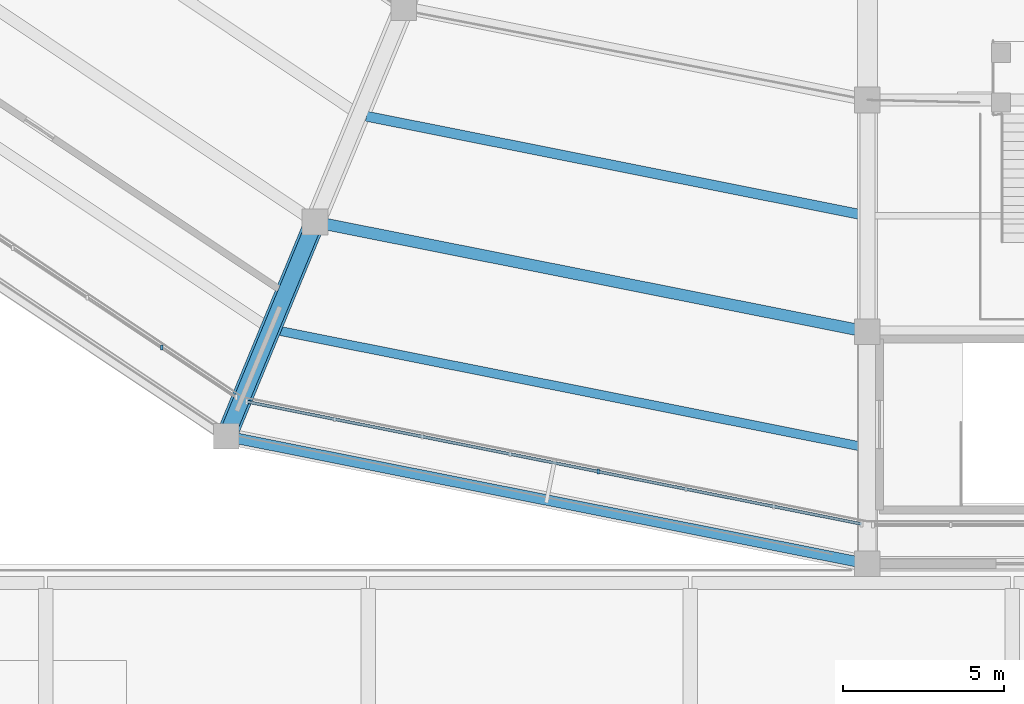
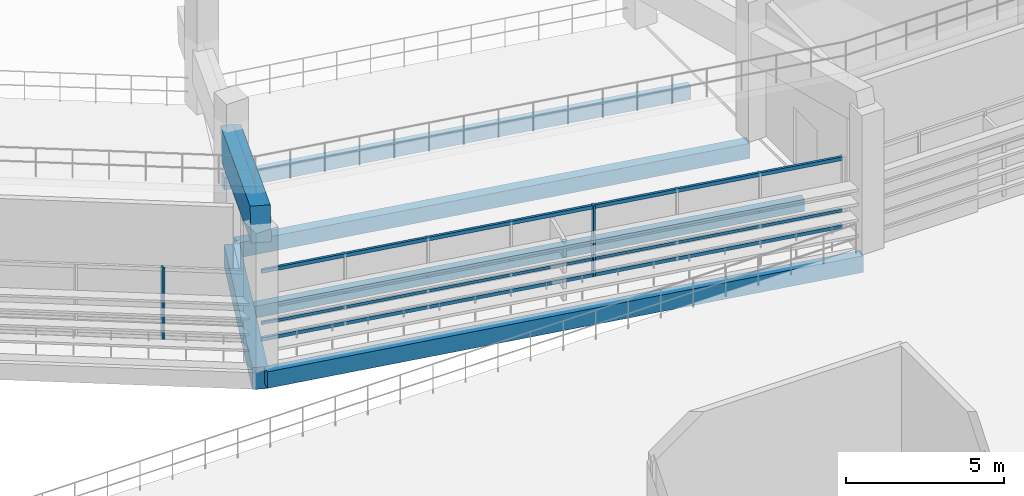
# One storey, part 6 of 96: 6 beams, 5 members, 2 elements without a shape of their own.
"""IFC4 building model written with IfcOpenShell, lengths in metres."""

from ifc_helpers import new_model, si_unit, direction, frame, origin, origin_2d, place, context, subcontext, project, spatial, rectangle, extrude, material, material_profile, profile_set, type_object, element, aggregate, save


model = new_model("IFC4")

# Units and contexts
model_context = context("Model", 3, precision=1e-05, world=origin(), true_north=direction((0.0, 1.0)))
body_context = subcontext(model_context, "Body", "Model", "MODEL_VIEW")
ifc_project = project(units=[si_unit("LENGTHUNIT", "METRE"), si_unit("AREAUNIT", "SQUARE_METRE"), si_unit("VOLUMEUNIT", "CUBIC_METRE"), si_unit("PLANEANGLEUNIT", "RADIAN"), si_unit("MASSUNIT", "GRAM", prefix="KILO")], contexts=[model_context])

# Site, building, storey
site_placement = place(None, origin())
site = spatial("IfcSite", under=ifc_project, at=site_placement, CompositionType="ELEMENT")
building_placement = place(site_placement, origin())
building = spatial("IfcBuilding", under=site, at=building_placement, Name="Candeia Ridge Stadium", CompositionType="ELEMENT")
storey_placement = place(building_placement, frame((0.0, 0.0, 21.60009765625)))
storey = spatial("IfcBuildingStorey", under=building, at=storey_placement, Name="L04", CompositionType="ELEMENT", Elevation=21.60009765625)

# Curtain wall, member
ifc_material_1 = material(Name="Aluminium Anodized Warm Bronze", Category="aluminium")
curtain_wall_type = type_object("IfcCurtainWallType", Name="Concourse Recessed Unitised Curtain Wall", PredefinedType="NOTDEFINED", material=ifc_material_1)
curtain_wall_1_placement = place(storey_placement, origin())
curtain_wall_1 = element("IfcCurtainWall", 1, at=curtain_wall_1_placement, inside=storey, type_object=curtain_wall_type, Name="Unitised curtain wall CW-BWL-L04-16", PredefinedType="NOTDEFINED")
ifc_material_profile_1 = material_profile(ifc_material_1, rectangle(XDim=0.074951171875, YDim=0.14990234375, at=origin_2d()), Name="CWM-75x150", Category="aluminium")
ifc_profile_set_1 = profile_set([ifc_material_profile_1], Name="Aluminium Anodized Warm Bronze")
member_type_1 = type_object("IfcMemberType", Name="Curtain Wall Secondary Mullion 75x150", PredefinedType="MULLION", material=ifc_profile_set_1)
member_1_placement = place(storey_placement, frame((49.098388671875, 25.71142578125, 0.0), z_axis=(0.0, 0.0, 1.0), x_axis=(1.0, 0.0, 0.0)))
member_1 = element("IfcMember", 2, at=member_1_placement, type_object=member_type_1, Name="Curtain wall mullion CW-BWL-L04-16-M6", PredefinedType="MULLION", context=body_context, shape_type="SweptSolid", body=[
    extrude(rectangle(XDim=0.074951171875, YDim=0.14990234375, at=origin_2d()), origin(), (0.0, 0.0, 1.0), 2.772216796875),
])
aggregate(curtain_wall_1, [member_1])

# Curtain wall, members
curtain_wall_2_placement = place(storey_placement, origin())
curtain_wall_2 = element("IfcCurtainWall", 3, at=curtain_wall_2_placement, inside=storey, type_object=curtain_wall_type, Name="Unitised curtain wall CW-BWL-L04-17", PredefinedType="NOTDEFINED")
member_2_placement = place(storey_placement, frame((62.643310546875, 21.8623046875, 0.0), z_axis=(0.0, 0.0, 1.0), x_axis=(1.0, 0.0, 0.0)))
member_2 = element("IfcMember", 4, at=member_2_placement, type_object=member_type_1, Name="Curtain wall mullion CW-BWL-L04-17-M4", PredefinedType="MULLION", context=body_context, shape_type="SweptSolid", body=[
    extrude(rectangle(XDim=0.074951171875, YDim=0.14990234375, at=origin_2d()), origin(), (0.0, 0.0, 1.0), 2.772216796875),
])
ifc_material_profile_2 = material_profile(ifc_material_1, rectangle(XDim=0.074951171875, YDim=0.110107421875, at=origin_2d()), Name="CWT-75x110", Category="aluminium")
ifc_profile_set_2 = profile_set([ifc_material_profile_2], Name="Aluminium Anodized Warm Bronze")
member_type_2 = type_object("IfcMemberType", Name="Curtain Wall Secondary Transom 75x110", PredefinedType="USERDEFINED", material=ifc_profile_set_2)
member_3_placement = place(storey_placement, frame((51.736083984375, 24.03173828125, 0.693115234375), z_axis=(0.980786160623, -0.195085896803, 0.0), x_axis=(0.195085896803, 0.980786160623, 0.0)))
member_3 = element("IfcMember", 5, at=member_3_placement, type_object=member_type_2, Name="Curtain wall transom CW-BWL-L04-17-T1", ObjectType="TRANSOM", PredefinedType="USERDEFINED", context=body_context, shape_type="SweptSolid", body=[
    extrude(rectangle(XDim=0.074951171875, YDim=0.110107421875, at=origin_2d()), origin(), (0.0, 0.0, 1.0), 19.46142578125),
])
ifc_material_profile_3 = material_profile(ifc_material_1, rectangle(XDim=0.090087890625, YDim=0.139892578125, at=origin_2d()), Name="CWT-90x140", Category="aluminium")
ifc_profile_set_3 = profile_set([ifc_material_profile_3], Name="Aluminium Anodized Warm Bronze")
member_type_3 = type_object("IfcMemberType", Name="Curtain Wall Transom 90x140", PredefinedType="USERDEFINED", material=ifc_profile_set_3)
member_4_placement = place(storey_placement, frame((51.736083984375, 24.03173828125, 0.06982421875), z_axis=(0.980786160623, -0.195085896803, 0.0), x_axis=(0.195085896803, 0.980786160623, 0.0)))
member_4 = element("IfcMember", 6, at=member_4_placement, type_object=member_type_3, Name="Curtain wall transom CW-BWL-L04-17-T0", ObjectType="TRANSOM", PredefinedType="USERDEFINED", context=body_context, shape_type="SweptSolid", body=[
    extrude(rectangle(XDim=0.090087890625, YDim=0.139892578125, at=origin_2d()), origin(), (0.0, 0.0, 1.0), 19.46142578125),
])
member_5_placement = place(storey_placement, frame((51.736083984375, 24.03173828125, 2.7021484375), z_axis=(0.980786160623, -0.195085896803, 0.0), x_axis=(0.195085896803, 0.980786160623, 0.0)))
member_5 = element("IfcMember", 7, at=member_5_placement, type_object=member_type_3, Name="Curtain wall transom CW-BWL-L04-17-T2", ObjectType="TRANSOM", PredefinedType="USERDEFINED", context=body_context, shape_type="SweptSolid", body=[
    extrude(rectangle(XDim=0.090087890625, YDim=0.139892578125, at=origin_2d()), origin(), (0.0, 0.0, 1.0), 19.46142578125),
])
aggregate(curtain_wall_2, [member_2, member_4, member_3, member_5])

# Beams
ifc_material_2 = material(Name="Concrete C40/50", Category="concrete")
ifc_material_profile_4 = material_profile(ifc_material_2, rectangle(XDim=0.280029296875, YDim=0.4599609375, at=origin_2d()), Name="RC280x460", Category="concrete")
ifc_profile_set_4 = profile_set([ifc_material_profile_4], Name="Concrete C40/50")
beam_type_1 = type_object("IfcBeamType", Name="Floor Joist RC280x460", PredefinedType="JOIST", material=ifc_profile_set_4)
beam_1_placement = place(storey_placement, frame((52.69580078125, 26.240966796875, -0.489990234375), z_axis=(0.980784839623, -0.195092537954, 0.0), x_axis=(0.195092537954, 0.980784839623, 0.0)))
element("IfcBeam", 8, at=beam_1_placement, inside=storey, type_object=beam_type_1, Name="Concourse secondary joist BM-L04-0877", PredefinedType="JOIST", context=body_context, shape_type="SweptSolid", body=[
    extrude(rectangle(XDim=0.280029296875, YDim=0.4599609375, at=origin_2d()), origin(), (0.0, 0.0, 1.0), 18.440673828125),
])
ifc_material_profile_5 = material_profile(ifc_material_2, rectangle(XDim=0.31005859375, YDim=0.489990234375, at=origin_2d()), Name="RC310x490", Category="concrete")
ifc_profile_set_5 = profile_set([ifc_material_profile_5], Name="Concrete C40/50")
beam_type_2 = type_object("IfcBeamType", Name="Floor Joist RC310x490", PredefinedType="JOIST", material=ifc_profile_set_5)
beam_2_placement = place(storey_placement, frame((55.451171875, 32.892822265625, -0.505126953125), z_axis=(0.980784984607, -0.195091809076, 0.0), x_axis=(0.195091809076, 0.980784984607, 0.0)))
element("IfcBeam", 9, at=beam_2_placement, inside=storey, type_object=beam_type_2, Name="Concourse secondary joist BM-L04-0876", PredefinedType="JOIST", context=body_context, shape_type="SweptSolid", body=[
    extrude(rectangle(XDim=0.31005859375, YDim=0.489990234375, at=origin_2d()), origin(), (0.0, 0.0, 1.0), 15.63134765625),
])
ifc_material_profile_6 = material_profile(ifc_material_2, rectangle(XDim=0.360107421875, YDim=0.580078125, at=origin_2d()), Name="RC360x580", Category="concrete")
ifc_profile_set_6 = profile_set([ifc_material_profile_6], Name="Concrete C40/50")
beam_type_3 = type_object("IfcBeamType", Name="Frame Girder RC360x580", PredefinedType="BEAM", material=ifc_profile_set_6)
beam_3_placement = place(storey_placement, frame((54.0126953125, 29.5791015625, -0.550048828125), z_axis=(0.980783706548, -0.195098234154, 0.0), x_axis=(0.195098234154, 0.980783706548, 0.0)))
element("IfcBeam", 10, at=beam_3_placement, inside=storey, type_object=beam_type_3, Name="Concourse spine girder BM-L04-0874", PredefinedType="BEAM", context=body_context, shape_type="SweptSolid", body=[
    extrude(rectangle(XDim=0.360107421875, YDim=0.580078125, at=origin_2d()), origin(), (0.0, 0.0, 1.0), 17.16015625),
])
ifc_material_3 = material(Name="Concrete C45/55", Category="concrete")
ifc_material_profile_7 = material_profile(ifc_material_3, rectangle(XDim=0.5, YDim=0.85009765625, at=origin_2d()), Name="RC500x850", Category="concrete")
ifc_profile_set_7 = profile_set([ifc_material_profile_7], Name="Concrete C45/55")
beam_type_4 = type_object("IfcBeamType", Name="Frame Girder RC500x850", PredefinedType="BEAM", material=ifc_profile_set_7)
beam_4_placement = place(storey_placement, frame((53.79443359375, 29.46240234375, -0.68505859375), z_axis=(-0.382681914982, -0.923880161031, 0.0), x_axis=(0.923880161031, -0.382681914982, 0.0)))
element("IfcBeam", 11, at=beam_4_placement, inside=storey, type_object=beam_type_4, Name="Bowl radial girder BM-L04-0756", PredefinedType="BEAM", context=body_context, shape_type="SweptSolid", body=[
    extrude(rectangle(XDim=0.5, YDim=0.85009765625, at=origin_2d()), origin(), (0.0, 0.0, 1.0), 6.8798828125),
])
ifc_material_profile_8 = material_profile(ifc_material_2, rectangle(XDim=0.330078125, YDim=0.639892578125, at=origin_2d()), Name="RC330x640", Category="concrete")
ifc_profile_set_8 = profile_set([ifc_material_profile_8], Name="Concrete C40/50")
beam_type_5 = type_object("IfcBeamType", Name="Spandrel Beam RC330x640", PredefinedType="SPANDREL", material=ifc_profile_set_8)
beam_5_placement = place(storey_placement, frame((51.25732421875, 22.927001953125, -0.580078125), z_axis=(0.980786091775, -0.195086242929, 0.0), x_axis=(0.195086242929, 0.980786091775, 0.0)))
element("IfcBeam", 12, at=beam_5_placement, inside=storey, type_object=beam_type_5, Name="Bowl perimeter spandrel BM-L04-0875", PredefinedType="SPANDREL", context=body_context, shape_type="SweptSolid", body=[
    extrude(rectangle(XDim=0.330078125, YDim=0.639892578125, at=origin_2d()), origin(), (0.0, 0.0, 1.0), 19.969482421875),
])
ifc_material_profile_9 = material_profile(ifc_material_3, rectangle(XDim=0.64990234375, YDim=1.25, at=origin_2d()), Name="RC650x1250", Category="concrete")
ifc_profile_set_9 = profile_set([ifc_material_profile_9], Name="Concrete C45/55")
beam_type_6 = type_object("IfcBeamType", Name="Stand Raker Beam RC650x1250", PredefinedType="USERDEFINED", material=ifc_profile_set_9)
beam_6_placement = place(storey_placement, frame((53.855712890625, 29.610107421875, 3.531982421875), z_axis=(-0.370472700699, -0.894373489566, 0.250691123094), x_axis=(0.923875488976, -0.382693194178, 0.0)))
element("IfcBeam", 13, at=beam_6_placement, inside=storey, type_object=beam_type_6, Name="Stand T3 outer raker beam 18", ObjectType="RAKER", PredefinedType="USERDEFINED", context=body_context, shape_type="SweptSolid", body=[
    extrude(rectangle(XDim=0.64990234375, YDim=1.25, at=origin_2d()), origin(), (0.0, 0.0, 1.0), 7.4375),
])

save(model, "model.ifc")
